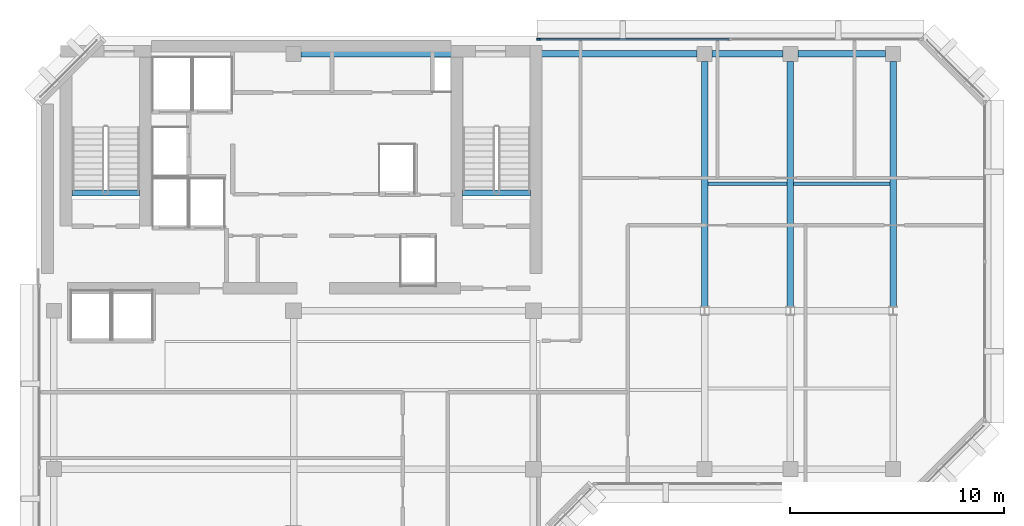
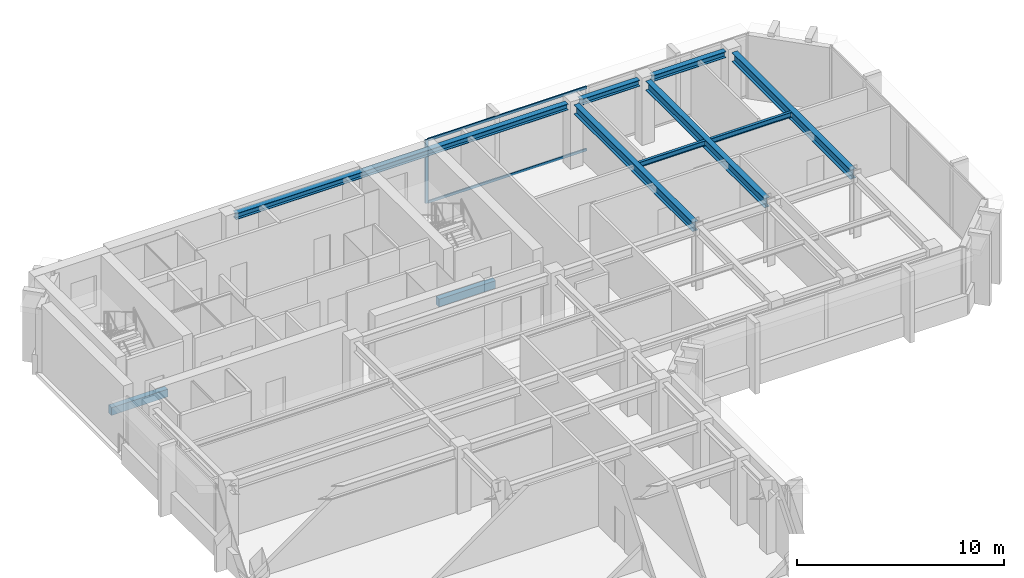
# One storey, part 4 of 11: 10 beams, 3 members, 1 element without a shape of its own.
"""IFC4 building model written with IfcOpenShell, lengths in metres."""

from ifc_helpers import new_model, si_unit, direction, frame, origin, origin_2d, place, context, subcontext, project, spatial, rectangle, i_section, extrude, material, layer, layer_set, material_profile, profile_set, type_object, element, aggregate, save


model = new_model("IFC4")

# Units and contexts
model_context = context("Model", 3, precision=1e-05, world=origin(), true_north=direction((0.0, 1.0)))
body_context = subcontext(model_context, "Body", "Model", "MODEL_VIEW")
ifc_project = project(units=[si_unit("LENGTHUNIT", "METRE"), si_unit("AREAUNIT", "SQUARE_METRE"), si_unit("VOLUMEUNIT", "CUBIC_METRE"), si_unit("PLANEANGLEUNIT", "RADIAN"), si_unit("MASSUNIT", "GRAM", prefix="KILO")], contexts=[model_context])

# Site, building, storey
site_placement = place(None, origin())
site = spatial("IfcSite", under=ifc_project, at=site_placement, CompositionType="ELEMENT")
building_placement = place(site_placement, origin())
building = spatial("IfcBuilding", under=site, at=building_placement, Name="Kefirva Bronze Tower", CompositionType="ELEMENT")
storey_placement = place(building_placement, frame((0.0, 0.0, 315.81005859375)))
storey = spatial("IfcBuildingStorey", under=building, at=storey_placement, Name="L77", CompositionType="ELEMENT", Elevation=315.81005859375)

# Curtain wall, members
ifc_material_1 = material(Name="Bronze anodised aluminium", Category="aluminium")
ifc_layer = layer(ifc_material_1, 0.179931640625, Name="Bronze anodised aluminium")
ifc_layer_set = layer_set([ifc_layer], Name="Bronze anodised aluminium")
curtain_wall_type = type_object("IfcCurtainWallType", Name="Unitised Bronze Ribbon Curtain Wall Zone 4", PredefinedType="USERDEFINED", material=ifc_layer_set)
curtain_wall_placement = place(storey_placement, origin())
curtain_wall = element("IfcCurtainWall", 1, at=curtain_wall_placement, inside=storey, type_object=curtain_wall_type, Name="L77 Curtain Wall 4", ObjectType="UNITISED CURTAIN WALL", PredefinedType="USERDEFINED")
ifc_material_profile_1 = material_profile(ifc_material_1, rectangle(XDim=0.074951171875, YDim=0.179931640625, at=origin_2d()), Name="ALU 75x180")
ifc_profile_set_1 = profile_set([ifc_material_profile_1], Name="Bronze anodised aluminium")
member_type_1 = type_object("IfcMemberType", Name="Bronze Mullion 75x180", PredefinedType="MULLION", material=ifc_profile_set_1)
member_1_placement = place(storey_placement, frame((23.4423828125, 45.8798828125, 0.0), z_axis=(0.0, 0.0, 1.0), x_axis=(0.0, -1.0, 0.0)))
member_1 = element("IfcMember", 2, at=member_1_placement, type_object=member_type_1, Name="CW-04 mullion 3", PredefinedType="MULLION", context=body_context, shape_type="SweptSolid", body=[
    extrude(rectangle(XDim=0.074951171875, YDim=0.179931640625, at=origin_2d()), origin(), (0.0, 0.0, 1.0), 3.739990234375),
])
ifc_material_profile_2 = material_profile(ifc_material_1, rectangle(XDim=0.074951171875, YDim=0.14990234375, at=origin_2d()), Name="ALU 75x150")
ifc_profile_set_2 = profile_set([ifc_material_profile_2], Name="Bronze anodised aluminium")
member_type_2 = type_object("IfcMemberType", Name="Bronze Transom 75x150", PredefinedType="USERDEFINED", material=ifc_profile_set_2)
member_2_placement = place(storey_placement, frame((32.33740234375, 45.8798828125, 0.037353515625), z_axis=(-1.0, 0.0, 0.0), x_axis=(0.0, -1.0, 0.0)))
member_2 = element("IfcMember", 3, at=member_2_placement, type_object=member_type_2, Name="CW-04 transom 2.1", ObjectType="TRANSOM", PredefinedType="USERDEFINED", context=body_context, shape_type="SweptSolid", body=[
    extrude(rectangle(XDim=0.074951171875, YDim=0.14990234375, at=origin_2d()), origin(), (0.0, 0.0, 1.0), 8.857421875),
])
member_3_placement = place(storey_placement, frame((32.33740234375, 45.8798828125, 3.702392578125), z_axis=(-1.0, 0.0, 0.0), x_axis=(0.0, -1.0, 0.0)))
member_3 = element("IfcMember", 4, at=member_3_placement, type_object=member_type_2, Name="CW-04 transom 2.2", ObjectType="TRANSOM", PredefinedType="USERDEFINED", context=body_context, shape_type="SweptSolid", body=[
    extrude(rectangle(XDim=0.074951171875, YDim=0.14990234375, at=origin_2d()), origin(), (0.0, 0.0, 1.0), 8.857421875),
])
aggregate(curtain_wall, [member_1, member_2, member_3])

# Beams
ifc_material_2 = material(Name="Concrete C50/60", Category="concrete")
ifc_material_profile_3 = material_profile(ifc_material_2, rectangle(XDim=0.300048828125, YDim=0.449951171875, at=origin_2d()), Name="RC 300x450")
ifc_profile_set_3 = profile_set([ifc_material_profile_3], Name="Concrete C50/60")
beam_type_1 = type_object("IfcBeamType", Name="RC Stair Trimmer Beam 300x450", PredefinedType="BEAM", material=ifc_profile_set_3)
beam_1_placement = place(storey_placement, frame((1.64501953125, 38.699951171875, -0.22509765625), z_axis=(1.0, 0.0, 0.0), x_axis=(0.0, 1.0, 0.0)))
element("IfcBeam", 5, at=beam_1_placement, inside=storey, type_object=beam_type_1, Name="L77 Stair 1 Landing Trimmer Beam", PredefinedType="BEAM", context=body_context, shape_type="SweptSolid", body=[
    extrude(rectangle(XDim=0.300048828125, YDim=0.449951171875, at=origin_2d()), origin(), (0.0, 0.0, 1.0), 3.14990234375),
])
beam_2_placement = place(storey_placement, frame((19.89501953125, 38.699951171875, -0.22509765625), z_axis=(1.0, 0.0, 0.0), x_axis=(0.0, 1.0, 0.0)))
element("IfcBeam", 6, at=beam_2_placement, inside=storey, type_object=beam_type_1, Name="L77 Stair 2 Landing Trimmer Beam", PredefinedType="BEAM", context=body_context, shape_type="SweptSolid", body=[
    extrude(rectangle(XDim=0.300048828125, YDim=0.449951171875, at=origin_2d()), origin(), (0.0, 0.0, 1.0), 3.159912109375),
])
ifc_material_3 = material(Name="Steel S355", Category="steel")
ifc_material_profile_4 = material_profile(ifc_material_3, i_section(OverallWidth=0.14990234375, OverallDepth=0.300048828125, WebThickness=0.007080078125, FlangeThickness=0.0107421875, at=origin_2d()), Name="IPE 300")
ifc_profile_set_4 = profile_set([ifc_material_profile_4], Name="Steel S355")
beam_type_2 = type_object("IfcBeamType", Name="Steel Floor Joist IPE 300", PredefinedType="JOIST", material=ifc_profile_set_4)
beam_3_placement = place(storey_placement, frame((31.35009765625, 39.12890625, 3.58984375), z_axis=(1.0, 0.0, 0.0), x_axis=(0.0, 1.0, 0.0)))
element("IfcBeam", 7, at=beam_3_placement, inside=storey, type_object=beam_type_2, Name="L77 JST-L77-31-391", PredefinedType="JOIST", context=body_context, shape_type="SweptSolid", body=[
    extrude(i_section(OverallWidth=0.14990234375, OverallDepth=0.300048828125, WebThickness=0.007080078125, FlangeThickness=0.0107421875, at=origin_2d()), origin(), (0.0, 0.0, 1.0), 3.699951171875),
])
beam_4_placement = place(storey_placement, frame((35.35009765625, 39.12890625, 3.58984375), z_axis=(1.0, 0.0, 0.0), x_axis=(0.0, 1.0, 0.0)))
element("IfcBeam", 8, at=beam_4_placement, inside=storey, type_object=beam_type_2, Name="L77 JST-L77-35-391", PredefinedType="JOIST", context=body_context, shape_type="SweptSolid", body=[
    extrude(i_section(OverallWidth=0.14990234375, OverallDepth=0.300048828125, WebThickness=0.007080078125, FlangeThickness=0.0107421875, at=origin_2d()), origin(), (0.0, 0.0, 1.0), 4.5),
])
ifc_material_profile_5 = material_profile(ifc_material_3, i_section(OverallWidth=0.300048828125, OverallDepth=0.550048828125, WebThickness=0.014892578125, FlangeThickness=0.029052734375, at=origin_2d()), Name="HEB 550")
ifc_profile_set_5 = profile_set([ifc_material_profile_5], Name="Steel S355")
beam_type_3 = type_object("IfcBeamType", Name="Steel Girder HEB 550", PredefinedType="USERDEFINED", material=ifc_profile_set_5)
for number, where, z_axis, x_axis, name in (
    (9, (31.199951171875, 33.407958984375, 3.46484375), (0.0, 1.0, 0.0), (-1.0, 0.0, 0.0), "L77 BM-L77-NS-312-33"),
    (10, (35.199951171875, 33.407958984375, 3.46484375), (0.0, 1.0, 0.0), (-1.0, 0.0, 0.0), "L77 BM-L77-NS-352-33"),
    (11, (40.0, 33.407958984375, 3.46484375), (0.0, 1.0, 0.0), (-1.0, 0.0, 0.0), "L77 BM-L77-NS-400-33"),
):
    element("IfcBeam", number, at=place(storey_placement, frame(where, z_axis=z_axis, x_axis=x_axis)), inside=storey, type_object=beam_type_3, Name=name, ObjectType="GIRDER", PredefinedType="USERDEFINED", context=body_context, shape_type="SweptSolid", body=[
        extrude(i_section(OverallWidth=0.300048828125, OverallDepth=0.550048828125, WebThickness=0.014892578125, FlangeThickness=0.029052734375, at=origin_2d()), origin(), (0.0, 0.0, 1.0), 11.442138671875),
    ])
ifc_material_profile_6 = material_profile(ifc_material_3, i_section(OverallWidth=0.300048828125, OverallDepth=0.360107421875, WebThickness=0.012451171875, FlangeThickness=0.0224609375, at=origin_2d()), Name="HEB 360")
ifc_profile_set_6 = profile_set([ifc_material_profile_6], Name="Steel S355")
beam_type_4 = type_object("IfcBeamType", Name="Steel Spandrel HEB 360 Ext", PredefinedType="SPANDREL", material=ifc_profile_set_6)
beam_5_placement = place(storey_placement, frame((12.35009765625, 45.199951171875, 3.56005859375), z_axis=(1.0, 0.0, 0.0), x_axis=(0.0, 1.0, 0.0)))
element("IfcBeam", 12, at=beam_5_placement, inside=storey, type_object=beam_type_4, Name="L77 BM-L77-EW-12-452", PredefinedType="SPANDREL", context=body_context, shape_type="SweptSolid", body=[
    extrude(i_section(OverallWidth=0.300048828125, OverallDepth=0.360107421875, WebThickness=0.012451171875, FlangeThickness=0.0224609375, at=origin_2d()), origin(), (0.0, 0.0, 1.0), 18.5),
])
beam_6_placement = place(storey_placement, frame((31.550048828125, 45.199951171875, 3.56005859375), z_axis=(1.0, 0.0, 0.0), x_axis=(0.0, 1.0, 0.0)))
element("IfcBeam", 13, at=beam_6_placement, inside=storey, type_object=beam_type_4, Name="L77 BM-L77-EW-31-452", PredefinedType="SPANDREL", context=body_context, shape_type="SweptSolid", body=[
    extrude(i_section(OverallWidth=0.300048828125, OverallDepth=0.360107421875, WebThickness=0.012451171875, FlangeThickness=0.0224609375, at=origin_2d()), origin(), (0.0, 0.0, 1.0), 3.300048828125),
])
beam_7_placement = place(storey_placement, frame((35.550048828125, 45.199951171875, 3.56005859375), z_axis=(1.0, 0.0, 0.0), x_axis=(0.0, 1.0, 0.0)))
element("IfcBeam", 14, at=beam_7_placement, inside=storey, type_object=beam_type_4, Name="L77 BM-L77-EW-35-452", PredefinedType="SPANDREL", context=body_context, shape_type="SweptSolid", body=[
    extrude(i_section(OverallWidth=0.300048828125, OverallDepth=0.360107421875, WebThickness=0.012451171875, FlangeThickness=0.0224609375, at=origin_2d()), origin(), (0.0, 0.0, 1.0), 4.099853515625),
])

save(model, "model.ifc")
